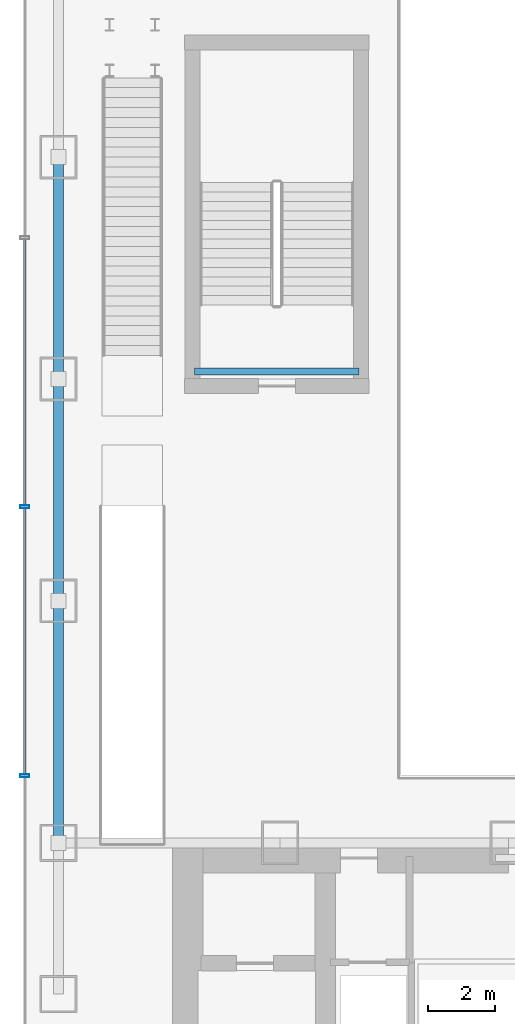
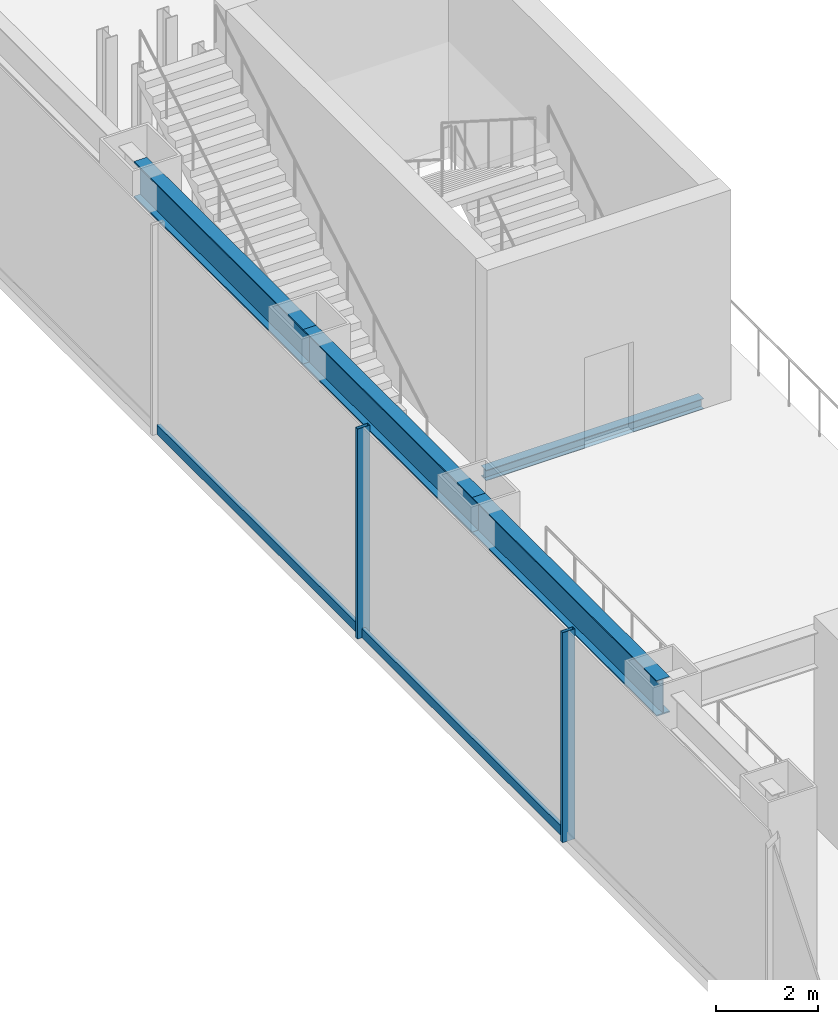
# One storey, part 8 of 40: 4 beams, 4 members, 1 element without a shape of its own.
"""IFC4 building model written with IfcOpenShell, lengths in metres."""

from ifc_helpers import new_model, si_unit, derived_unit, direction, frame, origin, origin_2d, place, context, subcontext, project, spatial, hollow_rectangle, i_section, extrude, source, transform, mapped, material, material_profile, profile_set, type_object, element, aggregate, save


model = new_model("IFC4")

# Units and contexts
model_context = context("Model", 3, precision=1e-05, world=origin(), true_north=direction((0.0, 1.0)))
body_context = subcontext(model_context, "Body", "Model", "MODEL_VIEW")
ifc_project = project(units=[si_unit("LENGTHUNIT", "METRE"), si_unit("AREAUNIT", "SQUARE_METRE"), si_unit("VOLUMEUNIT", "CUBIC_METRE"), si_unit("PLANEANGLEUNIT", "RADIAN"), si_unit("MASSUNIT", "GRAM", prefix="KILO"), derived_unit("THERMALTRANSMITTANCEUNIT", [(si_unit("POWERUNIT", "WATT"), 1), (si_unit("LENGTHUNIT", "METRE"), -2), (si_unit("THERMODYNAMICTEMPERATUREUNIT", "KELVIN"), -1)])], contexts=[model_context])

# Site, building, storey
site_placement = place(None, origin())
site = spatial("IfcSite", under=ifc_project, at=site_placement, CompositionType="ELEMENT")
building_placement = place(site_placement, origin())
building = spatial("IfcBuilding", under=site, at=building_placement, Name="Skarnbrae Concourse Arena and Tower", CompositionType="ELEMENT")
storey_placement = place(building_placement, frame((0.0, 0.0, 6.0)))
storey = spatial("IfcBuildingStorey", under=building, at=storey_placement, Name="L01", CompositionType="ELEMENT", Elevation=6.0)

# Beams
ifc_material_1 = material(Name="Steel CSA G40.21 350W", Category="steel")
ifc_material_profile_1 = material_profile(ifc_material_1, i_section(OverallWidth=0.2939453125, OverallDepth=0.85107421875, WebThickness=0.01611328125, FlangeThickness=0.02685546875, at=origin_2d()), Name="W840X226")
ifc_profile_set_1 = profile_set([ifc_material_profile_1], Name="Steel CSA G40.21 350W")
beam_type_1 = type_object("IfcBeamType", Name="BM-GIRD-W840X226", PredefinedType="BEAM", material=ifc_profile_set_1)
shared_shape_1 = source(origin(), body_context, "Body", "SweptSolid", [
    extrude(i_section(OverallWidth=0.2939453125, OverallDepth=0.85107421875, WebThickness=0.01611328125, FlangeThickness=0.02685546875, at=origin_2d()), origin(), (0.0, 0.0, 1.0), 6.60009765625),
])
beam_1_placement = place(storey_placement, frame((1.0, 21.199951171875, 4.2744140625), z_axis=(0.0, 1.0, 0.0), x_axis=(-1.0, 0.0, 0.0)))
element("IfcBeam", 1, at=beam_1_placement, inside=storey, type_object=beam_type_1, Name="L01 Podium west girder 3", PredefinedType="BEAM", context=body_context, shape_type="MappedRepresentation", body=[
    mapped(shared_shape_1, transform((0.0, 0.0, 0.0))),
])
shared_shape_2 = source(origin(), body_context, "Body", "SweptSolid", [
    extrude(i_section(OverallWidth=0.2939453125, OverallDepth=0.85107421875, WebThickness=0.01611328125, FlangeThickness=0.02685546875, at=origin_2d()), origin(), (0.0, 0.0, 1.0), 7.199951171875),
])
beam_2_placement = place(storey_placement, frame((1.0, 14.0, 4.2744140625), z_axis=(0.0, 1.0, 0.0), x_axis=(-1.0, 0.0, 0.0)))
element("IfcBeam", 2, at=beam_2_placement, inside=storey, type_object=beam_type_1, Name="L01 Podium west girder 2", PredefinedType="BEAM", context=body_context, shape_type="MappedRepresentation", body=[
    mapped(shared_shape_2, transform((0.0, 0.0, 0.0))),
])
shared_shape_3 = source(origin(), body_context, "Body", "SweptSolid", [
    extrude(i_section(OverallWidth=0.2939453125, OverallDepth=0.85107421875, WebThickness=0.01611328125, FlangeThickness=0.02685546875, at=origin_2d()), origin(), (0.0, 0.0, 1.0), 6.599853515625),
])
beam_3_placement = place(storey_placement, frame((1.0, 27.800048828125, 4.2744140625), z_axis=(0.0, 1.0, 0.0), x_axis=(-1.0, 0.0, 0.0)))
element("IfcBeam", 3, at=beam_3_placement, inside=storey, type_object=beam_type_1, Name="L01 Podium west girder 4", PredefinedType="BEAM", context=body_context, shape_type="MappedRepresentation", body=[
    mapped(shared_shape_3, transform((0.0, 0.0, 0.0))),
])

# Curtain wall, members
ifc_material_2 = material(Name="Bronze anodised aluminium 6063-T6", Category="aluminium")
curtain_wall_type = type_object("IfcCurtainWallType", Name="CW-SYS-01-PODIUM", PredefinedType="USERDEFINED", material=ifc_material_2)
curtain_wall_placement = place(storey_placement, origin())
curtain_wall = element("IfcCurtainWall", 4, at=curtain_wall_placement, inside=storey, type_object=curtain_wall_type, Name="L01 Unitised curtain wall CW-L01-W", ObjectType="UNITISED CURTAIN WALL", PredefinedType="USERDEFINED")
ifc_material_profile_2 = material_profile(ifc_material_2, hollow_rectangle(XDim=0.0849609375, YDim=0.280029296875, WallThickness=0.006103515625, at=origin_2d()), Name="ALU-MULL-85X280")
ifc_profile_set_2 = profile_set([ifc_material_profile_2], Name="Bronze anodised aluminium 6063-T6")
member_type_1 = type_object("IfcMemberType", Name="CWM-CW-01", PredefinedType="MULLION", material=ifc_profile_set_2)
shared_shape_4 = source(origin(), body_context, "Body", "SweptSolid", [
    extrude(hollow_rectangle(XDim=0.0849609375, YDim=0.280029296875, WallThickness=0.006103515625, at=origin_2d()), origin(), (0.0, 0.0, 1.0), 5.0),
])
member_1_placement = place(storey_placement, frame((0.0, 24.0, 0.0), z_axis=(0.0, 0.0, 1.0), x_axis=(0.0, -1.0, 0.0)))
member_1 = element("IfcMember", 5, at=member_1_placement, type_object=member_type_1, Name="CW-L01-W Mullion 5", PredefinedType="MULLION", context=body_context, shape_type="MappedRepresentation", body=[
    mapped(shared_shape_4, transform((0.0, 0.0, 0.0))),
])
member_2_placement = place(storey_placement, frame((0.0, 16.0, 0.0), z_axis=(0.0, 0.0, 1.0), x_axis=(0.0, -1.0, 0.0)))
member_2 = element("IfcMember", 6, at=member_2_placement, type_object=member_type_1, Name="CW-L01-W Mullion 6", PredefinedType="MULLION", context=body_context, shape_type="MappedRepresentation", body=[
    mapped(shared_shape_4, transform((0.0, 0.0, 0.0))),
])
ifc_material_profile_3 = material_profile(ifc_material_2, hollow_rectangle(XDim=0.0849609375, YDim=0.219970703125, WallThickness=0.006103515625, at=origin_2d()), Name="ALU-TRAN-85X220")
ifc_profile_set_3 = profile_set([ifc_material_profile_3], Name="Bronze anodised aluminium 6063-T6")
member_type_2 = type_object("IfcMemberType", Name="CWT-CW-01", PredefinedType="USERDEFINED", material=ifc_profile_set_3)
shared_shape_5 = source(origin(), body_context, "Body", "SweptSolid", [
    extrude(hollow_rectangle(XDim=0.0849609375, YDim=0.219970703125, WallThickness=0.006103515625, at=origin_2d()), origin(), (0.0, 0.0, 1.0), 7.9150390625),
])
member_3_placement = place(storey_placement, frame((0.0, 31.95751953125, 0.110107421875), z_axis=(0.0, -1.0, 0.0), x_axis=(1.0, 0.0, 0.0)))
member_3 = element("IfcMember", 7, at=member_3_placement, type_object=member_type_2, Name="CW-L01-W Transom 4", ObjectType="TRANSOM", PredefinedType="USERDEFINED", context=body_context, shape_type="MappedRepresentation", body=[
    mapped(shared_shape_5, transform((0.0, 0.0, 0.0))),
])
member_4_placement = place(storey_placement, frame((0.0, 23.95751953125, 0.110107421875), z_axis=(0.0, -1.0, 0.0), x_axis=(1.0, 0.0, 0.0)))
member_4 = element("IfcMember", 8, at=member_4_placement, type_object=member_type_2, Name="CW-L01-W Transom 5", ObjectType="TRANSOM", PredefinedType="USERDEFINED", context=body_context, shape_type="MappedRepresentation", body=[
    mapped(shared_shape_5, transform((0.0, 0.0, 0.0))),
])
aggregate(curtain_wall, [member_1, member_2, member_3, member_4])

# Beam
ifc_material_profile_4 = material_profile(ifc_material_1, i_section(OverallWidth=0.202880859375, OverallDepth=0.251953125, WebThickness=0.008056640625, FlangeThickness=0.013427734375, at=origin_2d()), Name="W250X58")
ifc_profile_set_4 = profile_set([ifc_material_profile_4], Name="Steel CSA G40.21 350W")
beam_type_2 = type_object("IfcBeamType", Name="BM-LINTEL-W250X58", PredefinedType="LINTEL", material=ifc_profile_set_4)
shared_shape_6 = source(origin(), body_context, "Body", "SweptSolid", [
    extrude(i_section(OverallWidth=0.202880859375, OverallDepth=0.251953125, WebThickness=0.008056640625, FlangeThickness=0.013427734375, at=origin_2d()), origin(), (0.0, 0.0, 1.0), 4.89990234375),
])
beam_4_placement = place(storey_placement, frame((9.949951171875, 28.02001953125, -0.325927734375), z_axis=(-1.0, 0.0, 0.0), x_axis=(0.0, -1.0, 0.0)))
element("IfcBeam", 9, at=beam_4_placement, inside=storey, type_object=beam_type_2, Name="L01 Stair ST-A3 near landing soffit beam", PredefinedType="LINTEL", context=body_context, shape_type="MappedRepresentation", body=[
    mapped(shared_shape_6, transform((0.0, 0.0, 0.0))),
])

save(model, "model.ifc")
